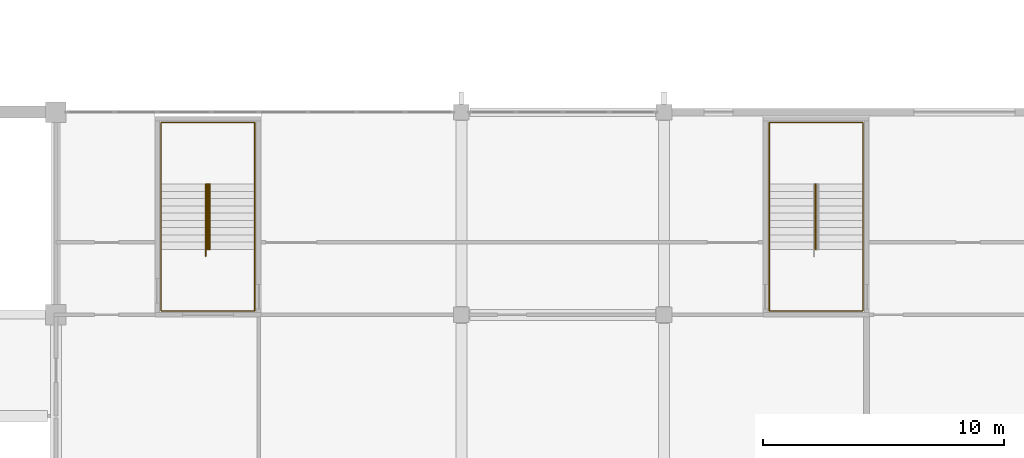
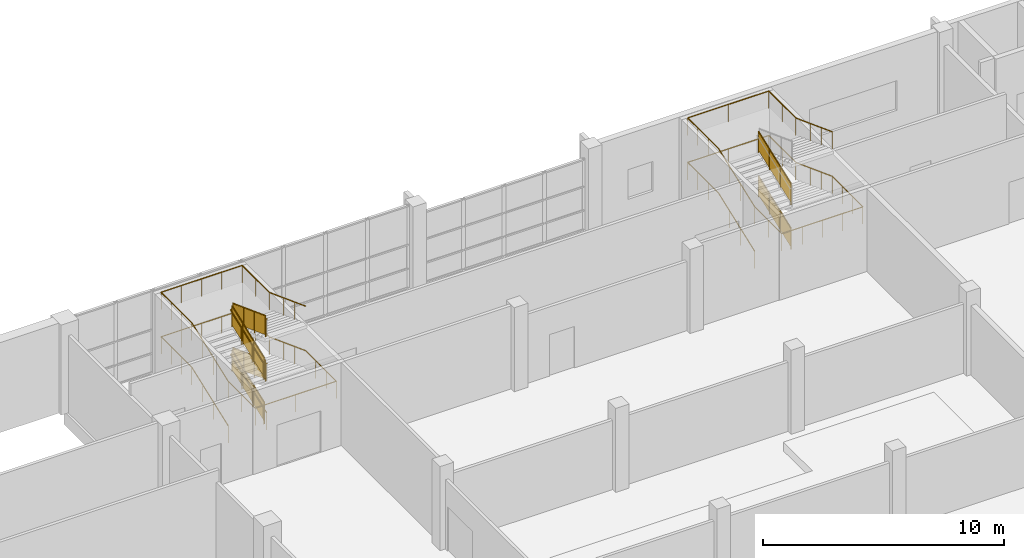
# One storey, part 56 of 64: 9 railings.
"""IFC4 building model written with IfcOpenShell, lengths in metres."""

from ifc_helpers import new_model, si_unit, direction, frame, origin, origin_2d, place, context, subcontext, project, spatial, polyline, circle, outline, extrude, material, type_object, element, save


model = new_model("IFC4")

# Units and contexts
model_context = context("Model", 3, precision=1e-05, world=origin(), true_north=direction((0.0, 1.0)))
body_context = subcontext(model_context, "Body", "Model", "MODEL_VIEW")
ifc_project = project(units=[si_unit("LENGTHUNIT", "METRE"), si_unit("AREAUNIT", "SQUARE_METRE"), si_unit("VOLUMEUNIT", "CUBIC_METRE"), si_unit("PLANEANGLEUNIT", "RADIAN"), si_unit("MASSUNIT", "GRAM", prefix="KILO")], contexts=[model_context])

# Site, building, storey
site_placement = place(None, origin())
site = spatial("IfcSite", under=ifc_project, at=site_placement, CompositionType="ELEMENT")
building_placement = place(site_placement, origin())
building = spatial("IfcBuilding", under=site, at=building_placement, Name="Rulbaag Community and Learning Centre", CompositionType="ELEMENT")
storey_placement = place(building_placement, frame((0.0, 0.0, 5.39990234375)))
storey = spatial("IfcBuildingStorey", under=building, at=storey_placement, Name="L01", CompositionType="ELEMENT", Elevation=5.39990234375)

# Railings
ifc_material_1 = material(Name="Galvanised mild steel", Category="steel")
railing_type_1 = type_object("IfcRailingType", Name="GR-1100 GUARD 1100", PredefinedType="GUARDRAIL", material=ifc_material_1)
railing_1_placement = place(storey_placement, frame((90.280029296875, 44.71240234375, 0.112548828125)))
element("IfcRailing", 1, at=railing_1_placement, inside=storey, type_object=railing_type_1, Name="Guard SH6 L01 G", PredefinedType="GUARDRAIL", context=body_context, shape_type="SweptSolid", body=[
    extrude(circle(Radius=0.02490234375, at=origin_2d()), frame((0.0, 0.0, 1.0751953125), z_axis=(0.0, 0.936343093598, 0.351086329941), x_axis=(-1.0, 0.0, 0.0)), (0.0, 0.0, 1.0), 2.8837890625),
    extrude(circle(Radius=0.02001953125, at=origin_2d()), origin(), (0.0, 0.0, 1.0), 1.050048828125),
    extrude(circle(Radius=0.02001953125, at=origin_2d()), frame((0.0, 0.900146484375, 0.33740234375)), (0.0, 0.0, 1.0), 1.050048828125),
    extrude(circle(Radius=0.02001953125, at=origin_2d()), frame((0.0, 1.800048828125, 0.675048828125)), (0.0, 0.0, 1.0), 1.050048828125),
    extrude(circle(Radius=0.02001953125, at=origin_2d()), frame((0.0, 2.7001953125, 1.012451171875)), (0.0, 0.0, 1.0), 1.050048828125),
    extrude(outline(polyline([(0.0, 0.0), (2.7001953125, 1.012451171875), (2.7001953125, 1.96240234375), (0.0, 0.949951171875), (0.0, 0.0)])), frame((-0.0048828125, 0.0, 0.10009765625), z_axis=(1.0, 0.0, 0.0), x_axis=(0.0, 1.0, 0.0)), (0.0, 0.0, 1.0), 0.010009765625),
])
railing_2_placement = place(storey_placement, frame((90.320068359375, 47.41259765625, 1.237548828125)))
element("IfcRailing", 2, at=railing_2_placement, inside=storey, type_object=railing_type_1, Name="Guard SH6 L01 G2", PredefinedType="GUARDRAIL", context=body_context, shape_type="SweptSolid", body=[
    extrude(circle(Radius=0.02490234375, at=origin_2d()), frame((0.0, 0.0, 1.0751953125), z_axis=(0.0, -0.936343093598, 0.351086329941), x_axis=(1.0, 0.0, 0.0)), (0.0, 0.0, 1.0), 2.8837890625),
    extrude(circle(Radius=0.02001953125, at=origin_2d()), origin(), (0.0, 0.0, 1.0), 1.050048828125),
    extrude(circle(Radius=0.02001953125, at=origin_2d()), frame((0.0, -0.900146484375, 0.33740234375)), (0.0, 0.0, 1.0), 1.050048828125),
    extrude(circle(Radius=0.02001953125, at=origin_2d()), frame((0.0, -1.800048828125, 0.675048828125)), (0.0, 0.0, 1.0), 1.050048828125),
    extrude(circle(Radius=0.02001953125, at=origin_2d()), frame((0.0, -2.7001953125, 1.012451171875)), (0.0, 0.0, 1.0), 1.050048828125),
    extrude(outline(polyline([(0.0, 0.0), (2.7001953125, 1.012451171875), (2.7001953125, 1.96240234375), (0.0, 0.949951171875), (0.0, 0.0)])), frame((0.0048828125, 0.0, 0.10009765625), z_axis=(-1.0, 0.0, 0.0), x_axis=(0.0, -1.0, 0.0)), (0.0, 0.0, 1.0), 0.010009765625),
])
railing_3_placement = place(storey_placement, frame((90.280029296875, 44.71240234375, 2.362548828125)))
element("IfcRailing", 3, at=railing_3_placement, inside=storey, type_object=railing_type_1, Name="Guard SH6 L01 G3", PredefinedType="GUARDRAIL", context=body_context, shape_type="SweptSolid", body=[
    extrude(circle(Radius=0.02490234375, at=origin_2d()), frame((0.0, 0.0, 1.0751953125), z_axis=(0.0, 0.936343093598, 0.351086329941), x_axis=(-1.0, 0.0, 0.0)), (0.0, 0.0, 1.0), 2.8837890625),
    extrude(circle(Radius=0.02001953125, at=origin_2d()), origin(), (0.0, 0.0, 1.0), 1.050048828125),
    extrude(circle(Radius=0.02001953125, at=origin_2d()), frame((0.0, 0.900146484375, 0.33740234375)), (0.0, 0.0, 1.0), 1.050048828125),
    extrude(circle(Radius=0.02001953125, at=origin_2d()), frame((0.0, 1.800048828125, 0.675048828125)), (0.0, 0.0, 1.0), 1.050048828125),
    extrude(circle(Radius=0.02001953125, at=origin_2d()), frame((0.0, 2.7001953125, 1.012451171875)), (0.0, 0.0, 1.0), 1.050048828125),
    extrude(outline(polyline([(0.0, 0.0), (2.7001953125, 1.012451171875), (2.7001953125, 1.96240234375), (0.0, 0.949951171875), (0.0, 0.0)])), frame((-0.0048828125, 0.0, 0.10009765625), z_axis=(1.0, 0.0, 0.0), x_axis=(0.0, 1.0, 0.0)), (0.0, 0.0, 1.0), 0.010009765625),
])
railing_4_placement = place(storey_placement, frame((90.320068359375, 47.41259765625, 3.487548828125)))
element("IfcRailing", 4, at=railing_4_placement, inside=storey, type_object=railing_type_1, Name="Guard SH6 L01 G4", PredefinedType="GUARDRAIL", context=body_context, shape_type="SweptSolid", body=[
    extrude(circle(Radius=0.02490234375, at=origin_2d()), frame((0.0, 0.0, 1.0751953125), z_axis=(0.0, -0.936343093598, 0.351086329941), x_axis=(1.0, 0.0, 0.0)), (0.0, 0.0, 1.0), 2.8837890625),
    extrude(circle(Radius=0.02001953125, at=origin_2d()), origin(), (0.0, 0.0, 1.0), 1.050048828125),
    extrude(circle(Radius=0.02001953125, at=origin_2d()), frame((0.0, -0.900146484375, 0.33740234375)), (0.0, 0.0, 1.0), 1.050048828125),
    extrude(circle(Radius=0.02001953125, at=origin_2d()), frame((0.0, -1.800048828125, 0.675048828125)), (0.0, 0.0, 1.0), 1.050048828125),
    extrude(circle(Radius=0.02001953125, at=origin_2d()), frame((0.0, -2.7001953125, 1.012451171875)), (0.0, 0.0, 1.0), 1.050048828125),
    extrude(outline(polyline([(0.0, 0.0), (2.7001953125, 1.012451171875), (2.7001953125, 1.96240234375), (0.0, 0.949951171875), (0.0, 0.0)])), frame((0.0048828125, 0.0, 0.10009765625), z_axis=(-1.0, 0.0, 0.0), x_axis=(0.0, -1.0, 0.0)), (0.0, 0.0, 1.0), 0.010009765625),
])
for number, where, name in (
    (5, (115.47998046875, 44.71240234375, 0.112548828125), "Guard SH7 L01 G"),
    (6, (115.47998046875, 44.71240234375, 2.362548828125), "Guard SH7 L01 G3"),
):
    element("IfcRailing", number, at=place(storey_placement, frame(where)), inside=storey, type_object=railing_type_1, Name=name, PredefinedType="GUARDRAIL", context=body_context, shape_type="SweptSolid", body=[
        extrude(circle(Radius=0.02490234375, at=origin_2d()), frame((0.0, 0.0, 1.0751953125), z_axis=(0.0, 0.936343093598, 0.351086329941), x_axis=(-1.0, 0.0, 0.0)), (0.0, 0.0, 1.0), 2.8837890625),
        extrude(circle(Radius=0.02001953125, at=origin_2d()), origin(), (0.0, 0.0, 1.0), 1.050048828125),
        extrude(circle(Radius=0.02001953125, at=origin_2d()), frame((0.0, 0.900146484375, 0.33740234375)), (0.0, 0.0, 1.0), 1.050048828125),
        extrude(circle(Radius=0.02001953125, at=origin_2d()), frame((0.0, 1.800048828125, 0.675048828125)), (0.0, 0.0, 1.0), 1.050048828125),
        extrude(circle(Radius=0.02001953125, at=origin_2d()), frame((0.0, 2.7001953125, 1.012451171875)), (0.0, 0.0, 1.0), 1.050048828125),
        extrude(outline(polyline([(0.0, 0.0), (2.7001953125, 1.012451171875), (2.7001953125, 1.96240234375), (0.0, 0.949951171875), (0.0, 0.0)])), frame((-0.0048828125, 0.0, 0.10009765625), z_axis=(1.0, 0.0, 0.0), x_axis=(0.0, 1.0, 0.0)), (0.0, 0.0, 1.0), 0.010009765625),
    ])
ifc_material_2 = material(Name="Stainless steel grade 316", Category="steel")
railing_type_2 = type_object("IfcRailingType", Name="HR-900 HANDRAIL 900", PredefinedType="HANDRAIL", material=ifc_material_2)
railing_5_placement = place(storey_placement, frame((88.360107421875, 44.41259765625, 0.0)))
element("IfcRailing", 7, at=railing_5_placement, inside=storey, type_object=railing_type_2, Name="Handrail SH6 L01 O", PredefinedType="HANDRAIL", context=body_context, shape_type="SweptSolid", body=[
    extrude(circle(Radius=0.024169921875, at=origin_2d()), frame((0.0, 0.0, 0.875732421875), z_axis=(0.0, 0.936203795034, 0.351457613608), x_axis=(-1.0, 0.0, 0.0)), (0.0, 0.0, 1.0), 0.3203125),
    extrude(circle(Radius=0.024169921875, at=origin_2d()), frame((0.0, 0.2998046875, 0.98828125), z_axis=(0.0, 0.936343093598, 0.351086329941), x_axis=(-1.0, 0.0, 0.0)), (0.0, 0.0, 1.0), 2.8837890625),
    extrude(circle(Radius=0.024169921875, at=origin_2d()), frame((0.0, 3.0, 2.000732421875), z_axis=(0.0, 1.0, 0.0), x_axis=(-1.0, 0.0, 0.0)), (0.0, 0.0, 1.0), 2.552490234375),
    extrude(circle(Radius=0.024169921875, at=origin_2d()), frame((0.0, 5.552490234375, 2.000732421875), z_axis=(1.0, 0.0, 0.0), x_axis=(0.0, 1.0, 0.0)), (0.0, 0.0, 1.0), 3.8798828125),
    extrude(circle(Radius=0.024169921875, at=origin_2d()), frame((3.8798828125, 5.552490234375, 2.000732421875), z_axis=(0.0, -1.0, 0.0), x_axis=(1.0, 0.0, 0.0)), (0.0, 0.0, 1.0), 2.252685546875),
    extrude(circle(Radius=0.024169921875, at=origin_2d()), frame((3.8798828125, 3.2998046875, 2.000732421875), z_axis=(0.0, -0.936203795034, 0.351457613608), x_axis=(1.0, 0.0, 0.0)), (0.0, 0.0, 1.0), 0.3203125),
    extrude(circle(Radius=0.024169921875, at=origin_2d()), frame((3.8798828125, 3.0, 2.11328125), z_axis=(0.0, -0.936343093598, 0.351086329941), x_axis=(1.0, 0.0, 0.0)), (0.0, 0.0, 1.0), 2.8837890625),
    extrude(circle(Radius=0.024169921875, at=origin_2d()), frame((3.8798828125, 0.2998046875, 3.125732421875), z_axis=(0.0, -1.0, 0.0), x_axis=(1.0, 0.0, 0.0)), (0.0, 0.0, 1.0), 2.552490234375),
    extrude(circle(Radius=0.024169921875, at=origin_2d()), frame((3.8798828125, -2.252685546875, 3.125732421875), z_axis=(-1.0, 0.0, 0.0), x_axis=(0.0, -1.0, 0.0)), (0.0, 0.0, 1.0), 3.8798828125),
    extrude(circle(Radius=0.024169921875, at=origin_2d()), frame((0.0, -2.252685546875, 3.125732421875), z_axis=(0.0, 1.0, 0.0), x_axis=(-1.0, 0.0, 0.0)), (0.0, 0.0, 1.0), 2.252685546875),
    extrude(circle(Radius=0.024169921875, at=origin_2d()), frame((0.0, 0.0, 3.125732421875), z_axis=(0.0, 0.936203795034, 0.351457613608), x_axis=(-1.0, 0.0, 0.0)), (0.0, 0.0, 1.0), 0.3203125),
    extrude(circle(Radius=0.024169921875, at=origin_2d()), frame((0.0, 0.2998046875, 3.23828125), z_axis=(0.0, 0.936343093598, 0.351086329941), x_axis=(-1.0, 0.0, 0.0)), (0.0, 0.0, 1.0), 2.8837890625),
    extrude(circle(Radius=0.024169921875, at=origin_2d()), frame((0.0, 3.0, 4.250732421875), z_axis=(0.0, 1.0, 0.0), x_axis=(-1.0, 0.0, 0.0)), (0.0, 0.0, 1.0), 2.552490234375),
    extrude(circle(Radius=0.024169921875, at=origin_2d()), frame((0.0, 5.552490234375, 4.250732421875), z_axis=(1.0, 0.0, 0.0), x_axis=(0.0, 1.0, 0.0)), (0.0, 0.0, 1.0), 3.8798828125),
    extrude(circle(Radius=0.024169921875, at=origin_2d()), frame((3.8798828125, 5.552490234375, 4.250732421875), z_axis=(0.0, -1.0, 0.0), x_axis=(1.0, 0.0, 0.0)), (0.0, 0.0, 1.0), 2.252685546875),
    extrude(circle(Radius=0.024169921875, at=origin_2d()), frame((3.8798828125, 3.2998046875, 4.250732421875), z_axis=(0.0, -0.936203795034, 0.351457613608), x_axis=(1.0, 0.0, 0.0)), (0.0, 0.0, 1.0), 0.3203125),
    extrude(circle(Radius=0.024169921875, at=origin_2d()), frame((3.8798828125, 3.0, 4.36328125), z_axis=(0.0, -0.936343093598, 0.351086329941), x_axis=(1.0, 0.0, 0.0)), (0.0, 0.0, 1.0), 2.8837890625),
    extrude(circle(Radius=0.008056640625, at=origin_2d()), origin(), (0.0, 0.0, 1.0), 0.8515625),
    extrude(circle(Radius=0.008056640625, at=origin_2d()), frame((0.0, 0.2998046875, 0.112548828125)), (0.0, 0.0, 1.0), 0.8515625),
    extrude(circle(Radius=0.008056640625, at=origin_2d()), frame((0.0, 1.199951171875, 0.449951171875)), (0.0, 0.0, 1.0), 0.8515625),
    extrude(circle(Radius=0.008056640625, at=origin_2d()), frame((0.0, 2.099853515625, 0.78759765625)), (0.0, 0.0, 1.0), 0.8515625),
    extrude(circle(Radius=0.008056640625, at=origin_2d()), frame((0.0, 3.0, 1.125)), (0.0, 0.0, 1.0), 0.8515625),
    extrude(circle(Radius=0.008056640625, at=origin_2d()), frame((0.0, 3.850830078125, 1.125)), (0.0, 0.0, 1.0), 0.8515625),
    extrude(circle(Radius=0.008056640625, at=origin_2d()), frame((0.0, 4.70166015625, 1.125)), (0.0, 0.0, 1.0), 0.8515625),
    extrude(circle(Radius=0.008056640625, at=origin_2d()), frame((0.0, 5.552490234375, 1.125)), (0.0, 0.0, 1.0), 0.8515625),
    extrude(circle(Radius=0.008056640625, at=origin_2d()), frame((0.969970703125, 5.552490234375, 1.125)), (0.0, 0.0, 1.0), 0.8515625),
    extrude(circle(Radius=0.008056640625, at=origin_2d()), frame((1.93994140625, 5.552490234375, 1.125)), (0.0, 0.0, 1.0), 0.8515625),
    extrude(circle(Radius=0.008056640625, at=origin_2d()), frame((2.909912109375, 5.552490234375, 1.125)), (0.0, 0.0, 1.0), 0.8515625),
    extrude(circle(Radius=0.008056640625, at=origin_2d()), frame((3.8798828125, 5.552490234375, 1.125)), (0.0, 0.0, 1.0), 0.8515625),
    extrude(circle(Radius=0.008056640625, at=origin_2d()), frame((3.8798828125, 4.42626953125, 1.125)), (0.0, 0.0, 1.0), 0.8515625),
    extrude(circle(Radius=0.008056640625, at=origin_2d()), frame((3.8798828125, 3.2998046875, 1.125)), (0.0, 0.0, 1.0), 0.8515625),
    extrude(circle(Radius=0.008056640625, at=origin_2d()), frame((3.8798828125, 3.0, 1.237548828125)), (0.0, 0.0, 1.0), 0.8515625),
    extrude(circle(Radius=0.008056640625, at=origin_2d()), frame((3.8798828125, 2.099853515625, 1.574951171875)), (0.0, 0.0, 1.0), 0.8515625),
    extrude(circle(Radius=0.008056640625, at=origin_2d()), frame((3.8798828125, 1.199951171875, 1.91259765625)), (0.0, 0.0, 1.0), 0.8515625),
    extrude(circle(Radius=0.008056640625, at=origin_2d()), frame((3.8798828125, 0.2998046875, 2.25)), (0.0, 0.0, 1.0), 0.8515625),
    extrude(circle(Radius=0.008056640625, at=origin_2d()), frame((3.8798828125, -0.551025390625, 2.25)), (0.0, 0.0, 1.0), 0.8515625),
    extrude(circle(Radius=0.008056640625, at=origin_2d()), frame((3.8798828125, -1.40185546875, 2.25)), (0.0, 0.0, 1.0), 0.8515625),
    extrude(circle(Radius=0.008056640625, at=origin_2d()), frame((3.8798828125, -2.252685546875, 2.25)), (0.0, 0.0, 1.0), 0.8515625),
    extrude(circle(Radius=0.008056640625, at=origin_2d()), frame((2.909912109375, -2.252685546875, 2.25)), (0.0, 0.0, 1.0), 0.8515625),
    extrude(circle(Radius=0.008056640625, at=origin_2d()), frame((1.93994140625, -2.252685546875, 2.25)), (0.0, 0.0, 1.0), 0.8515625),
    extrude(circle(Radius=0.008056640625, at=origin_2d()), frame((0.969970703125, -2.252685546875, 2.25)), (0.0, 0.0, 1.0), 0.8515625),
    extrude(circle(Radius=0.008056640625, at=origin_2d()), frame((0.0, -2.252685546875, 2.25)), (0.0, 0.0, 1.0), 0.8515625),
    extrude(circle(Radius=0.008056640625, at=origin_2d()), frame((0.0, -1.12646484375, 2.25)), (0.0, 0.0, 1.0), 0.8515625),
    extrude(circle(Radius=0.008056640625, at=origin_2d()), frame((0.0, 0.0, 2.25)), (0.0, 0.0, 1.0), 0.8515625),
    extrude(circle(Radius=0.008056640625, at=origin_2d()), frame((0.0, 0.2998046875, 2.362548828125)), (0.0, 0.0, 1.0), 0.8515625),
    extrude(circle(Radius=0.008056640625, at=origin_2d()), frame((0.0, 1.199951171875, 2.699951171875)), (0.0, 0.0, 1.0), 0.8515625),
    extrude(circle(Radius=0.008056640625, at=origin_2d()), frame((0.0, 2.099853515625, 3.03759765625)), (0.0, 0.0, 1.0), 0.8515625),
    extrude(circle(Radius=0.008056640625, at=origin_2d()), frame((0.0, 3.0, 3.375)), (0.0, 0.0, 1.0), 0.8515625),
    extrude(circle(Radius=0.008056640625, at=origin_2d()), frame((0.0, 3.850830078125, 3.375)), (0.0, 0.0, 1.0), 0.8515625),
    extrude(circle(Radius=0.008056640625, at=origin_2d()), frame((0.0, 4.70166015625, 3.375)), (0.0, 0.0, 1.0), 0.8515625),
    extrude(circle(Radius=0.008056640625, at=origin_2d()), frame((0.0, 5.552490234375, 3.375)), (0.0, 0.0, 1.0), 0.8515625),
    extrude(circle(Radius=0.008056640625, at=origin_2d()), frame((0.969970703125, 5.552490234375, 3.375)), (0.0, 0.0, 1.0), 0.8515625),
    extrude(circle(Radius=0.008056640625, at=origin_2d()), frame((1.93994140625, 5.552490234375, 3.375)), (0.0, 0.0, 1.0), 0.8515625),
    extrude(circle(Radius=0.008056640625, at=origin_2d()), frame((2.909912109375, 5.552490234375, 3.375)), (0.0, 0.0, 1.0), 0.8515625),
    extrude(circle(Radius=0.008056640625, at=origin_2d()), frame((3.8798828125, 5.552490234375, 3.375)), (0.0, 0.0, 1.0), 0.8515625),
    extrude(circle(Radius=0.008056640625, at=origin_2d()), frame((3.8798828125, 4.42626953125, 3.375)), (0.0, 0.0, 1.0), 0.8515625),
    extrude(circle(Radius=0.008056640625, at=origin_2d()), frame((3.8798828125, 3.2998046875, 3.375)), (0.0, 0.0, 1.0), 0.8515625),
    extrude(circle(Radius=0.008056640625, at=origin_2d()), frame((3.8798828125, 3.0, 3.487548828125)), (0.0, 0.0, 1.0), 0.8515625),
    extrude(circle(Radius=0.008056640625, at=origin_2d()), frame((3.8798828125, 2.099853515625, 3.824951171875)), (0.0, 0.0, 1.0), 0.8515625),
    extrude(circle(Radius=0.008056640625, at=origin_2d()), frame((3.8798828125, 1.199951171875, 4.16259765625)), (0.0, 0.0, 1.0), 0.8515625),
    extrude(circle(Radius=0.008056640625, at=origin_2d()), frame((3.8798828125, 0.2998046875, 4.5)), (0.0, 0.0, 1.0), 0.8515625),
])
railing_6_placement = place(storey_placement, frame((90.2099609375, 44.41259765625, 0.0)))
element("IfcRailing", 8, at=railing_6_placement, inside=storey, type_object=railing_type_2, Name="Handrail SH6 L01 I", PredefinedType="HANDRAIL", context=body_context, shape_type="SweptSolid", body=[
    extrude(circle(Radius=0.024169921875, at=origin_2d()), frame((0.0, 0.0, 0.875732421875), z_axis=(0.0, 0.936203795034, 0.351457613608), x_axis=(-1.0, 0.0, 0.0)), (0.0, 0.0, 1.0), 0.3203125),
    extrude(circle(Radius=0.024169921875, at=origin_2d()), frame((0.0, 0.2998046875, 0.98828125), z_axis=(0.0, 0.936343093598, 0.351086329941), x_axis=(-1.0, 0.0, 0.0)), (0.0, 0.0, 1.0), 2.8837890625),
    extrude(circle(Radius=0.024169921875, at=origin_2d()), frame((0.0, 3.0, 2.000732421875), z_axis=(0.847804368873, 0.0, 0.530309109973), x_axis=(0.0, 1.0, 0.0)), (0.0, 0.0, 1.0), 0.212158203125),
    extrude(circle(Radius=0.024169921875, at=origin_2d()), frame((0.179931640625, 3.0, 2.11328125), z_axis=(0.0, -0.936343093598, 0.351086329941), x_axis=(1.0, 0.0, 0.0)), (0.0, 0.0, 1.0), 2.8837890625),
    extrude(circle(Radius=0.024169921875, at=origin_2d()), frame((0.179931640625, 0.2998046875, 3.125732421875), z_axis=(-0.847804368873, 0.0, 0.530309109973), x_axis=(0.0, -1.0, 0.0)), (0.0, 0.0, 1.0), 0.212158203125),
    extrude(circle(Radius=0.024169921875, at=origin_2d()), frame((0.0, 0.2998046875, 3.23828125), z_axis=(0.0, 0.936343093598, 0.351086329941), x_axis=(-1.0, 0.0, 0.0)), (0.0, 0.0, 1.0), 2.8837890625),
    extrude(circle(Radius=0.024169921875, at=origin_2d()), frame((0.0, 3.0, 4.250732421875), z_axis=(0.847804368873, 0.0, 0.530309109973), x_axis=(0.0, 1.0, 0.0)), (0.0, 0.0, 1.0), 0.212158203125),
    extrude(circle(Radius=0.024169921875, at=origin_2d()), frame((0.179931640625, 3.0, 4.36328125), z_axis=(0.0, -0.936343093598, 0.351086329941), x_axis=(1.0, 0.0, 0.0)), (0.0, 0.0, 1.0), 2.8837890625),
    extrude(circle(Radius=0.008056640625, at=origin_2d()), origin(), (0.0, 0.0, 1.0), 0.8515625),
    extrude(circle(Radius=0.008056640625, at=origin_2d()), frame((0.0, 0.2998046875, 0.112548828125)), (0.0, 0.0, 1.0), 0.8515625),
    extrude(circle(Radius=0.008056640625, at=origin_2d()), frame((0.0, 1.199951171875, 0.449951171875)), (0.0, 0.0, 1.0), 0.8515625),
    extrude(circle(Radius=0.008056640625, at=origin_2d()), frame((0.0, 2.099853515625, 0.78759765625)), (0.0, 0.0, 1.0), 0.8515625),
    extrude(circle(Radius=0.008056640625, at=origin_2d()), frame((0.0, 3.0, 1.125)), (0.0, 0.0, 1.0), 0.8515625),
    extrude(circle(Radius=0.008056640625, at=origin_2d()), frame((0.179931640625, 3.0, 1.237548828125)), (0.0, 0.0, 1.0), 0.8515625),
    extrude(circle(Radius=0.008056640625, at=origin_2d()), frame((0.179931640625, 2.099853515625, 1.574951171875)), (0.0, 0.0, 1.0), 0.8515625),
    extrude(circle(Radius=0.008056640625, at=origin_2d()), frame((0.179931640625, 1.199951171875, 1.91259765625)), (0.0, 0.0, 1.0), 0.8515625),
    extrude(circle(Radius=0.008056640625, at=origin_2d()), frame((0.179931640625, 0.2998046875, 2.25)), (0.0, 0.0, 1.0), 0.8515625),
    extrude(circle(Radius=0.008056640625, at=origin_2d()), frame((0.0, 0.2998046875, 2.362548828125)), (0.0, 0.0, 1.0), 0.8515625),
    extrude(circle(Radius=0.008056640625, at=origin_2d()), frame((0.0, 1.199951171875, 2.699951171875)), (0.0, 0.0, 1.0), 0.8515625),
    extrude(circle(Radius=0.008056640625, at=origin_2d()), frame((0.0, 2.099853515625, 3.03759765625)), (0.0, 0.0, 1.0), 0.8515625),
    extrude(circle(Radius=0.008056640625, at=origin_2d()), frame((0.0, 3.0, 3.375)), (0.0, 0.0, 1.0), 0.8515625),
    extrude(circle(Radius=0.008056640625, at=origin_2d()), frame((0.179931640625, 3.0, 3.487548828125)), (0.0, 0.0, 1.0), 0.8515625),
    extrude(circle(Radius=0.008056640625, at=origin_2d()), frame((0.179931640625, 2.099853515625, 3.824951171875)), (0.0, 0.0, 1.0), 0.8515625),
    extrude(circle(Radius=0.008056640625, at=origin_2d()), frame((0.179931640625, 1.199951171875, 4.16259765625)), (0.0, 0.0, 1.0), 0.8515625),
    extrude(circle(Radius=0.008056640625, at=origin_2d()), frame((0.179931640625, 0.2998046875, 4.5)), (0.0, 0.0, 1.0), 0.8515625),
])
railing_7_placement = place(storey_placement, frame((113.56005859375, 44.41259765625, 0.0)))
element("IfcRailing", 9, at=railing_7_placement, inside=storey, type_object=railing_type_2, Name="Handrail SH7 L01 O", PredefinedType="HANDRAIL", context=body_context, shape_type="SweptSolid", body=[
    extrude(circle(Radius=0.024169921875, at=origin_2d()), frame((0.0, 0.0, 0.875732421875), z_axis=(0.0, 0.936203795034, 0.351457613608), x_axis=(-1.0, 0.0, 0.0)), (0.0, 0.0, 1.0), 0.3203125),
    extrude(circle(Radius=0.024169921875, at=origin_2d()), frame((0.0, 0.2998046875, 0.98828125), z_axis=(0.0, 0.936343093598, 0.351086329941), x_axis=(-1.0, 0.0, 0.0)), (0.0, 0.0, 1.0), 2.8837890625),
    extrude(circle(Radius=0.024169921875, at=origin_2d()), frame((0.0, 3.0, 2.000732421875), z_axis=(0.0, 1.0, 0.0), x_axis=(-1.0, 0.0, 0.0)), (0.0, 0.0, 1.0), 2.552490234375),
    extrude(circle(Radius=0.024169921875, at=origin_2d()), frame((0.0, 5.552490234375, 2.000732421875), z_axis=(1.0, 0.0, 0.0), x_axis=(0.0, 1.0, 0.0)), (0.0, 0.0, 1.0), 3.8798828125),
    extrude(circle(Radius=0.024169921875, at=origin_2d()), frame((3.8798828125, 5.552490234375, 2.000732421875), z_axis=(0.0, -1.0, 0.0), x_axis=(1.0, 0.0, 0.0)), (0.0, 0.0, 1.0), 2.252685546875),
    extrude(circle(Radius=0.024169921875, at=origin_2d()), frame((3.8798828125, 3.2998046875, 2.000732421875), z_axis=(0.0, -0.936203795034, 0.351457613608), x_axis=(1.0, 0.0, 0.0)), (0.0, 0.0, 1.0), 0.3203125),
    extrude(circle(Radius=0.024169921875, at=origin_2d()), frame((3.8798828125, 3.0, 2.11328125), z_axis=(0.0, -0.936343093598, 0.351086329941), x_axis=(1.0, 0.0, 0.0)), (0.0, 0.0, 1.0), 2.8837890625),
    extrude(circle(Radius=0.024169921875, at=origin_2d()), frame((3.8798828125, 0.2998046875, 3.125732421875), z_axis=(0.0, -1.0, 0.0), x_axis=(1.0, 0.0, 0.0)), (0.0, 0.0, 1.0), 2.552490234375),
    extrude(circle(Radius=0.024169921875, at=origin_2d()), frame((3.8798828125, -2.252685546875, 3.125732421875), z_axis=(-1.0, 0.0, 0.0), x_axis=(0.0, -1.0, 0.0)), (0.0, 0.0, 1.0), 3.8798828125),
    extrude(circle(Radius=0.024169921875, at=origin_2d()), frame((0.0, -2.252685546875, 3.125732421875), z_axis=(0.0, 1.0, 0.0), x_axis=(-1.0, 0.0, 0.0)), (0.0, 0.0, 1.0), 2.252685546875),
    extrude(circle(Radius=0.024169921875, at=origin_2d()), frame((0.0, 0.0, 3.125732421875), z_axis=(0.0, 0.936203795034, 0.351457613608), x_axis=(-1.0, 0.0, 0.0)), (0.0, 0.0, 1.0), 0.3203125),
    extrude(circle(Radius=0.024169921875, at=origin_2d()), frame((0.0, 0.2998046875, 3.23828125), z_axis=(0.0, 0.936343093598, 0.351086329941), x_axis=(-1.0, 0.0, 0.0)), (0.0, 0.0, 1.0), 2.8837890625),
    extrude(circle(Radius=0.024169921875, at=origin_2d()), frame((0.0, 3.0, 4.250732421875), z_axis=(0.0, 1.0, 0.0), x_axis=(-1.0, 0.0, 0.0)), (0.0, 0.0, 1.0), 2.552490234375),
    extrude(circle(Radius=0.024169921875, at=origin_2d()), frame((0.0, 5.552490234375, 4.250732421875), z_axis=(1.0, 0.0, 0.0), x_axis=(0.0, 1.0, 0.0)), (0.0, 0.0, 1.0), 3.8798828125),
    extrude(circle(Radius=0.024169921875, at=origin_2d()), frame((3.8798828125, 5.552490234375, 4.250732421875), z_axis=(0.0, -1.0, 0.0), x_axis=(1.0, 0.0, 0.0)), (0.0, 0.0, 1.0), 2.252685546875),
    extrude(circle(Radius=0.024169921875, at=origin_2d()), frame((3.8798828125, 3.2998046875, 4.250732421875), z_axis=(0.0, -0.936203795034, 0.351457613608), x_axis=(1.0, 0.0, 0.0)), (0.0, 0.0, 1.0), 0.3203125),
    extrude(circle(Radius=0.024169921875, at=origin_2d()), frame((3.8798828125, 3.0, 4.36328125), z_axis=(0.0, -0.936343093598, 0.351086329941), x_axis=(1.0, 0.0, 0.0)), (0.0, 0.0, 1.0), 2.8837890625),
    extrude(circle(Radius=0.008056640625, at=origin_2d()), origin(), (0.0, 0.0, 1.0), 0.8515625),
    extrude(circle(Radius=0.008056640625, at=origin_2d()), frame((0.0, 0.2998046875, 0.112548828125)), (0.0, 0.0, 1.0), 0.8515625),
    extrude(circle(Radius=0.008056640625, at=origin_2d()), frame((0.0, 1.199951171875, 0.449951171875)), (0.0, 0.0, 1.0), 0.8515625),
    extrude(circle(Radius=0.008056640625, at=origin_2d()), frame((0.0, 2.099853515625, 0.78759765625)), (0.0, 0.0, 1.0), 0.8515625),
    extrude(circle(Radius=0.008056640625, at=origin_2d()), frame((0.0, 3.0, 1.125)), (0.0, 0.0, 1.0), 0.8515625),
    extrude(circle(Radius=0.008056640625, at=origin_2d()), frame((0.0, 3.850830078125, 1.125)), (0.0, 0.0, 1.0), 0.8515625),
    extrude(circle(Radius=0.008056640625, at=origin_2d()), frame((0.0, 4.70166015625, 1.125)), (0.0, 0.0, 1.0), 0.8515625),
    extrude(circle(Radius=0.008056640625, at=origin_2d()), frame((0.0, 5.552490234375, 1.125)), (0.0, 0.0, 1.0), 0.8515625),
    extrude(circle(Radius=0.008056640625, at=origin_2d()), frame((0.969970703125, 5.552490234375, 1.125)), (0.0, 0.0, 1.0), 0.8515625),
    extrude(circle(Radius=0.008056640625, at=origin_2d()), frame((1.93994140625, 5.552490234375, 1.125)), (0.0, 0.0, 1.0), 0.8515625),
    extrude(circle(Radius=0.008056640625, at=origin_2d()), frame((2.909912109375, 5.552490234375, 1.125)), (0.0, 0.0, 1.0), 0.8515625),
    extrude(circle(Radius=0.008056640625, at=origin_2d()), frame((3.8798828125, 5.552490234375, 1.125)), (0.0, 0.0, 1.0), 0.8515625),
    extrude(circle(Radius=0.008056640625, at=origin_2d()), frame((3.8798828125, 4.42626953125, 1.125)), (0.0, 0.0, 1.0), 0.8515625),
    extrude(circle(Radius=0.008056640625, at=origin_2d()), frame((3.8798828125, 3.2998046875, 1.125)), (0.0, 0.0, 1.0), 0.8515625),
    extrude(circle(Radius=0.008056640625, at=origin_2d()), frame((3.8798828125, 3.0, 1.237548828125)), (0.0, 0.0, 1.0), 0.8515625),
    extrude(circle(Radius=0.008056640625, at=origin_2d()), frame((3.8798828125, 2.099853515625, 1.574951171875)), (0.0, 0.0, 1.0), 0.8515625),
    extrude(circle(Radius=0.008056640625, at=origin_2d()), frame((3.8798828125, 1.199951171875, 1.91259765625)), (0.0, 0.0, 1.0), 0.8515625),
    extrude(circle(Radius=0.008056640625, at=origin_2d()), frame((3.8798828125, 0.2998046875, 2.25)), (0.0, 0.0, 1.0), 0.8515625),
    extrude(circle(Radius=0.008056640625, at=origin_2d()), frame((3.8798828125, -0.551025390625, 2.25)), (0.0, 0.0, 1.0), 0.8515625),
    extrude(circle(Radius=0.008056640625, at=origin_2d()), frame((3.8798828125, -1.40185546875, 2.25)), (0.0, 0.0, 1.0), 0.8515625),
    extrude(circle(Radius=0.008056640625, at=origin_2d()), frame((3.8798828125, -2.252685546875, 2.25)), (0.0, 0.0, 1.0), 0.8515625),
    extrude(circle(Radius=0.008056640625, at=origin_2d()), frame((2.909912109375, -2.252685546875, 2.25)), (0.0, 0.0, 1.0), 0.8515625),
    extrude(circle(Radius=0.008056640625, at=origin_2d()), frame((1.93994140625, -2.252685546875, 2.25)), (0.0, 0.0, 1.0), 0.8515625),
    extrude(circle(Radius=0.008056640625, at=origin_2d()), frame((0.969970703125, -2.252685546875, 2.25)), (0.0, 0.0, 1.0), 0.8515625),
    extrude(circle(Radius=0.008056640625, at=origin_2d()), frame((0.0, -2.252685546875, 2.25)), (0.0, 0.0, 1.0), 0.8515625),
    extrude(circle(Radius=0.008056640625, at=origin_2d()), frame((0.0, -1.12646484375, 2.25)), (0.0, 0.0, 1.0), 0.8515625),
    extrude(circle(Radius=0.008056640625, at=origin_2d()), frame((0.0, 0.0, 2.25)), (0.0, 0.0, 1.0), 0.8515625),
    extrude(circle(Radius=0.008056640625, at=origin_2d()), frame((0.0, 0.2998046875, 2.362548828125)), (0.0, 0.0, 1.0), 0.8515625),
    extrude(circle(Radius=0.008056640625, at=origin_2d()), frame((0.0, 1.199951171875, 2.699951171875)), (0.0, 0.0, 1.0), 0.8515625),
    extrude(circle(Radius=0.008056640625, at=origin_2d()), frame((0.0, 2.099853515625, 3.03759765625)), (0.0, 0.0, 1.0), 0.8515625),
    extrude(circle(Radius=0.008056640625, at=origin_2d()), frame((0.0, 3.0, 3.375)), (0.0, 0.0, 1.0), 0.8515625),
    extrude(circle(Radius=0.008056640625, at=origin_2d()), frame((0.0, 3.850830078125, 3.375)), (0.0, 0.0, 1.0), 0.8515625),
    extrude(circle(Radius=0.008056640625, at=origin_2d()), frame((0.0, 4.70166015625, 3.375)), (0.0, 0.0, 1.0), 0.8515625),
    extrude(circle(Radius=0.008056640625, at=origin_2d()), frame((0.0, 5.552490234375, 3.375)), (0.0, 0.0, 1.0), 0.8515625),
    extrude(circle(Radius=0.008056640625, at=origin_2d()), frame((0.969970703125, 5.552490234375, 3.375)), (0.0, 0.0, 1.0), 0.8515625),
    extrude(circle(Radius=0.008056640625, at=origin_2d()), frame((1.93994140625, 5.552490234375, 3.375)), (0.0, 0.0, 1.0), 0.8515625),
    extrude(circle(Radius=0.008056640625, at=origin_2d()), frame((2.909912109375, 5.552490234375, 3.375)), (0.0, 0.0, 1.0), 0.8515625),
    extrude(circle(Radius=0.008056640625, at=origin_2d()), frame((3.8798828125, 5.552490234375, 3.375)), (0.0, 0.0, 1.0), 0.8515625),
    extrude(circle(Radius=0.008056640625, at=origin_2d()), frame((3.8798828125, 4.42626953125, 3.375)), (0.0, 0.0, 1.0), 0.8515625),
    extrude(circle(Radius=0.008056640625, at=origin_2d()), frame((3.8798828125, 3.2998046875, 3.375)), (0.0, 0.0, 1.0), 0.8515625),
    extrude(circle(Radius=0.008056640625, at=origin_2d()), frame((3.8798828125, 3.0, 3.487548828125)), (0.0, 0.0, 1.0), 0.8515625),
    extrude(circle(Radius=0.008056640625, at=origin_2d()), frame((3.8798828125, 2.099853515625, 3.824951171875)), (0.0, 0.0, 1.0), 0.8515625),
    extrude(circle(Radius=0.008056640625, at=origin_2d()), frame((3.8798828125, 1.199951171875, 4.16259765625)), (0.0, 0.0, 1.0), 0.8515625),
    extrude(circle(Radius=0.008056640625, at=origin_2d()), frame((3.8798828125, 0.2998046875, 4.5)), (0.0, 0.0, 1.0), 0.8515625),
])

save(model, "model.ifc")
